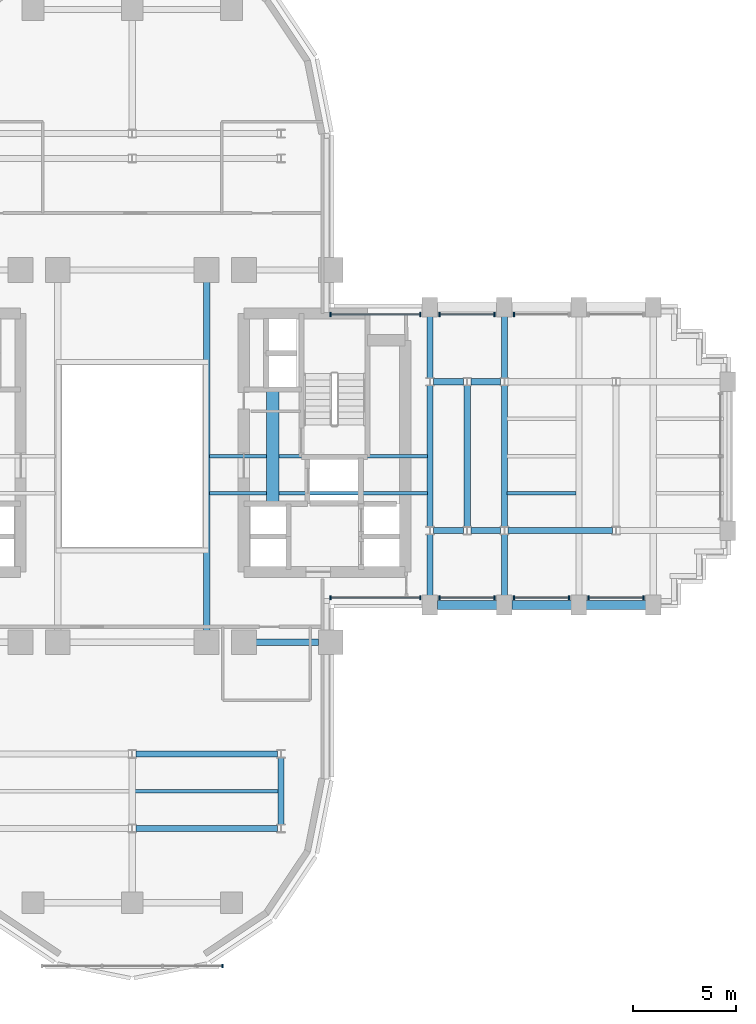
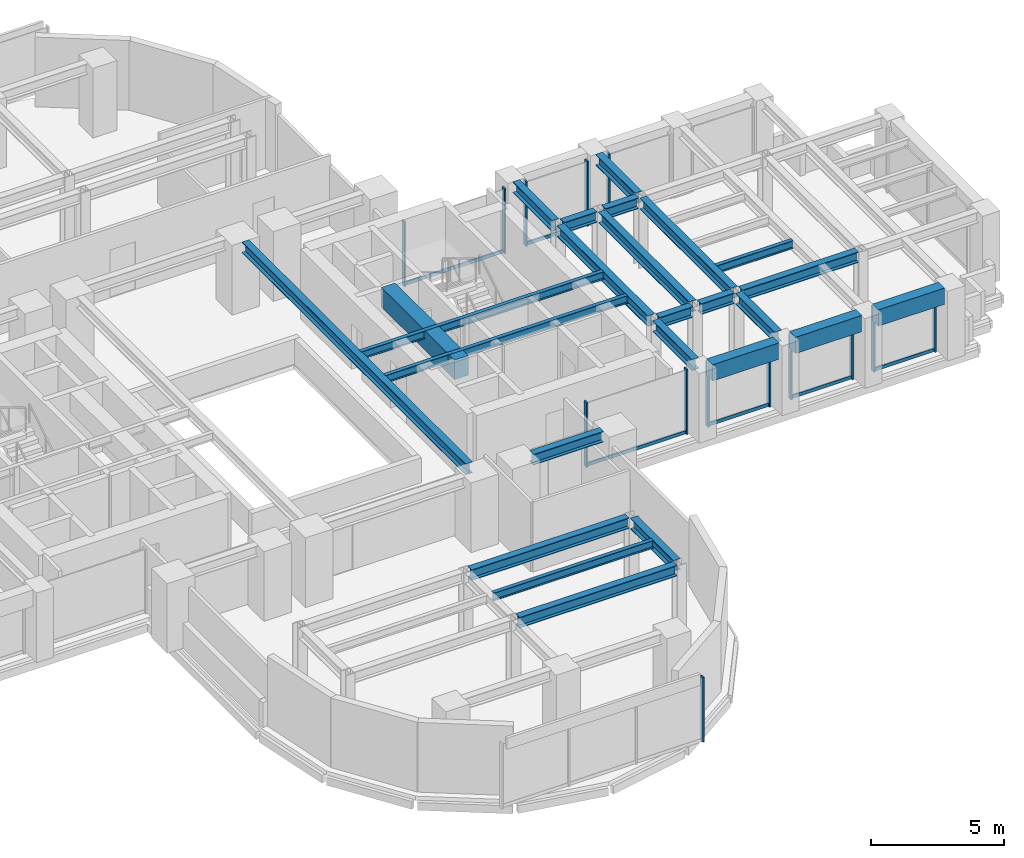
# One storey, part 5 of 16: 25 beams, 20 members, 8 elements without a shape of their own.
"""IFC4 building model written with IfcOpenShell, lengths in metres."""

from ifc_helpers import new_model, si_unit, direction, frame, origin, origin_2d, place, context, subcontext, project, spatial, rectangle, i_section, extrude, source, transform, mapped, material, material_profile, profile_set, type_object, element, aggregate, save


model = new_model("IFC4")

# Units and contexts
model_context = context("Model", 3, precision=1e-05, world=origin(), true_north=direction((0.0, 1.0)))
body_context = subcontext(model_context, "Body", "Model", "MODEL_VIEW")
ifc_project = project(units=[si_unit("LENGTHUNIT", "METRE"), si_unit("AREAUNIT", "SQUARE_METRE"), si_unit("VOLUMEUNIT", "CUBIC_METRE"), si_unit("PLANEANGLEUNIT", "RADIAN"), si_unit("MASSUNIT", "GRAM", prefix="KILO")], contexts=[model_context])

# Site, building, storey
site_placement = place(None, origin())
site = spatial("IfcSite", under=ifc_project, at=site_placement, CompositionType="ELEMENT")
building_placement = place(site_placement, origin())
building = spatial("IfcBuilding", under=site, at=building_placement, Name="Keilestroom Media Tower", CompositionType="ELEMENT")
storey_placement = place(building_placement, frame((0.0, 0.0, 68.0)))
storey = spatial("IfcBuildingStorey", under=building, at=storey_placement, Name="L17", CompositionType="ELEMENT", Elevation=68.0)

# Beams
ifc_material_1 = material(Name="Concrete C70/85", Category="concrete")
ifc_material_profile_1 = material_profile(ifc_material_1, rectangle(XDim=0.60009765625, YDim=0.89990234375, at=origin_2d()), Name="RC 600x900")
ifc_profile_set_1 = profile_set([ifc_material_profile_1], Name="Concrete C70/85")
beam_type_1 = type_object("IfcBeamType", Name="Core-Coupling-Lintel-Beam-RC-600x900", PredefinedType="LINTEL", material=ifc_profile_set_1)
shared_shape_1 = source(origin(), body_context, "Body", "SweptSolid", [
    extrude(rectangle(XDim=0.60009765625, YDim=0.89990234375, at=origin_2d()), origin(), (0.0, 0.0, 1.0), 5.52001953125),
])
beam_1_placement = place(storey_placement, frame((6.800048828125, -2.300048828125, 2.75), z_axis=(0.0, 1.0, 0.0), x_axis=(-1.0, 0.0, 0.0)))
element("IfcBeam", 1, at=beam_1_placement, inside=storey, type_object=beam_type_1, Name="L17 Beam CLB-1 CLB-L17-E", PredefinedType="LINTEL", context=body_context, shape_type="MappedRepresentation", body=[
    mapped(shared_shape_1, transform((0.0, 0.0, 0.0), x_axis=(1.0, 0.0, 0.0), y_axis=(0.0, 1.0, 0.0), z_axis=(0.0, 0.0, 1.0), scale=1.0)),
])
ifc_material_2 = material(Name="Precast concrete C40/50", Category="concrete")
ifc_material_profile_2 = material_profile(ifc_material_2, rectangle(XDim=0.449951171875, YDim=0.75, at=origin_2d()), Name="PC 450x750")
ifc_profile_set_2 = profile_set([ifc_material_profile_2], Name="Precast concrete C40/50")
beam_type_2 = type_object("IfcBeamType", Name="Perimeter-Spandrel-Beam-PC-450x750", PredefinedType="SPANDREL", material=ifc_profile_set_2)
shared_shape_2 = source(origin(), body_context, "Body", "SweptSolid", [
    extrude(rectangle(XDim=0.449951171875, YDim=0.75, at=origin_2d()), origin(), (0.0, 0.0, 1.0), 2.889892578125),
])
beam_2_placement = place(storey_placement, frame((21.955078125, -7.199951171875, 2.824951171875), z_axis=(1.0, 0.0, 0.0), x_axis=(0.0, 1.0, 0.0)))
element("IfcBeam", 2, at=beam_2_placement, inside=storey, type_object=beam_type_2, Name="L17 Beam SPB-1 BM-L17-EW-017", PredefinedType="SPANDREL", context=body_context, shape_type="MappedRepresentation", body=[
    mapped(shared_shape_2, transform((0.0, 0.0, 0.0), x_axis=(1.0, 0.0, 0.0), y_axis=(0.0, 1.0, 0.0), z_axis=(0.0, 0.0, 1.0), scale=1.0)),
])
shared_shape_3 = source(origin(), body_context, "Body", "SweptSolid", [
    extrude(rectangle(XDim=0.449951171875, YDim=0.75, at=origin_2d()), origin(), (0.0, 0.0, 1.0), 2.89013671875),
])
for number, where, z_axis, x_axis, name in (
    (3, (14.7548828125, -7.199951171875, 2.824951171875), (1.0, 0.0, 0.0), (0.0, 1.0, 0.0), "L17 Beam SPB-1 BM-L17-EW-015"),
    (4, (18.35498046875, -7.199951171875, 2.824951171875), (1.0, 0.0, 0.0), (0.0, 1.0, 0.0), "L17 Beam SPB-1 BM-L17-EW-016"),
):
    element("IfcBeam", number, at=place(storey_placement, frame(where, z_axis=z_axis, x_axis=x_axis)), inside=storey, type_object=beam_type_2, Name=name, PredefinedType="SPANDREL", context=body_context, shape_type="MappedRepresentation", body=[
        mapped(shared_shape_3, transform((0.0, 0.0, 0.0), x_axis=(1.0, 0.0, 0.0), y_axis=(0.0, 1.0, 0.0), z_axis=(0.0, 0.0, 1.0), scale=1.0)),
    ])
ifc_material_3 = material(Name="Steel S355", Category="steel")
ifc_material_profile_3 = material_profile(ifc_material_3, i_section(OverallWidth=0.300048828125, OverallDepth=0.5, WebThickness=0.012451171875, FlangeThickness=0.028076171875, at=origin_2d()), Name="HEB 500")
ifc_profile_set_3 = profile_set([ifc_material_profile_3], Name="Steel S355")
beam_type_3 = type_object("IfcBeamType", Name="Primary-Structural-Girder-HEB-500", PredefinedType="BEAM", material=ifc_profile_set_3)
shared_shape_4 = source(origin(), body_context, "Body", "SweptSolid", [
    extrude(i_section(OverallWidth=0.300048828125, OverallDepth=0.5, WebThickness=0.012451171875, FlangeThickness=0.028076171875, at=origin_2d()), origin(), (0.0, 0.0, 1.0), 6.8330078125),
])
for number, where, z_axis, x_axis, name in (
    (5, (14.39990234375, -3.41650390625, 2.949951171875), (0.0, 1.0, 0.0), (-1.0, 0.0, 0.0), "L17 Beam BG-6 BM-L17-NS-077"),
    (6, (16.199951171875, -3.41650390625, 2.949951171875), (0.0, 1.0, 0.0), (-1.0, 0.0, 0.0), "L17 Beam BG-6 BM-L17-NS-079"),
    (7, (18.0, -3.41650390625, 2.949951171875), (0.0, 1.0, 0.0), (-1.0, 0.0, 0.0), "L17 Beam BG-6 BM-L17-NS-081"),
):
    element("IfcBeam", number, at=place(storey_placement, frame(where, z_axis=z_axis, x_axis=x_axis)), inside=storey, type_object=beam_type_3, Name=name, PredefinedType="BEAM", context=body_context, shape_type="MappedRepresentation", body=[
        mapped(shared_shape_4, transform((0.0, 0.0, 0.0), x_axis=(1.0, 0.0, 0.0), y_axis=(0.0, 1.0, 0.0), z_axis=(0.0, 0.0, 1.0), scale=1.0)),
    ])
shared_shape_5 = source(origin(), body_context, "Body", "SweptSolid", [
    extrude(i_section(OverallWidth=0.300048828125, OverallDepth=0.5, WebThickness=0.012451171875, FlangeThickness=0.028076171875, at=origin_2d()), origin(), (0.0, 0.0, 1.0), 2.961669921875),
])
for number, where, z_axis, x_axis, name in (
    (8, (14.39990234375, -6.7451171875, 2.949951171875), (0.0, 1.0, 0.0), (-1.0, 0.0, 0.0), "L17 Beam BG-6 BM-L17-NS-076"),
    (9, (14.39990234375, 3.783447265625, 2.949951171875), (0.0, 1.0, 0.0), (-1.0, 0.0, 0.0), "L17 Beam BG-6 BM-L17-NS-078"),
    (10, (18.0, -6.7451171875, 2.949951171875), (0.0, 1.0, 0.0), (-1.0, 0.0, 0.0), "L17 Beam BG-6 BM-L17-NS-080"),
    (11, (18.0, 3.783447265625, 2.949951171875), (0.0, 1.0, 0.0), (-1.0, 0.0, 0.0), "L17 Beam BG-6 BM-L17-NS-082"),
):
    element("IfcBeam", number, at=place(storey_placement, frame(where, z_axis=z_axis, x_axis=x_axis)), inside=storey, type_object=beam_type_3, Name=name, PredefinedType="BEAM", context=body_context, shape_type="MappedRepresentation", body=[
        mapped(shared_shape_5, transform((0.0, 0.0, 0.0), x_axis=(1.0, 0.0, 0.0), y_axis=(0.0, 1.0, 0.0), z_axis=(0.0, 0.0, 1.0), scale=1.0)),
    ])
shared_shape_6 = source(origin(), body_context, "Body", "SweptSolid", [
    extrude(i_section(OverallWidth=0.300048828125, OverallDepth=0.5, WebThickness=0.012451171875, FlangeThickness=0.028076171875, at=origin_2d()), origin(), (0.0, 0.0, 1.0), 3.23291015625),
])
beam_3_placement = place(storey_placement, frame((7.199951171875, -17.81640625, 2.949951171875), z_axis=(0.0, 1.0, 0.0), x_axis=(-1.0, 0.0, 0.0)))
element("IfcBeam", 12, at=beam_3_placement, inside=storey, type_object=beam_type_3, Name="L17 Beam BG-6 BM-L17-NS-073", PredefinedType="BEAM", context=body_context, shape_type="MappedRepresentation", body=[
    mapped(shared_shape_6, transform((0.0, 0.0, 0.0), x_axis=(1.0, 0.0, 0.0), y_axis=(0.0, 1.0, 0.0), z_axis=(0.0, 0.0, 1.0), scale=1.0)),
])
shared_shape_7 = source(origin(), body_context, "Body", "SweptSolid", [
    extrude(i_section(OverallWidth=0.300048828125, OverallDepth=0.5, WebThickness=0.012451171875, FlangeThickness=0.028076171875, at=origin_2d()), origin(), (0.0, 0.0, 1.0), 16.83984375),
])
beam_4_placement = place(storey_placement, frame((3.60009765625, -8.419921875, 2.949951171875), z_axis=(0.0, 1.0, 0.0), x_axis=(-1.0, 0.0, 0.0)))
element("IfcBeam", 13, at=beam_4_placement, inside=storey, type_object=beam_type_3, Name="L17 Beam BG-6 BM-L17-NS-071", PredefinedType="BEAM", context=body_context, shape_type="MappedRepresentation", body=[
    mapped(shared_shape_7, transform((0.0, 0.0, 0.0), x_axis=(1.0, 0.0, 0.0), y_axis=(0.0, 1.0, 0.0), z_axis=(0.0, 0.0, 1.0), scale=1.0)),
])
ifc_material_profile_4 = material_profile(ifc_material_3, i_section(OverallWidth=0.300048828125, OverallDepth=0.489990234375, WebThickness=0.011962890625, FlangeThickness=0.02294921875, at=origin_2d()), Name="HEA 500")
ifc_profile_set_4 = profile_set([ifc_material_profile_4], Name="Steel S355")
beam_type_4 = type_object("IfcBeamType", Name="Primary-Structural-Girder-HEA-500", PredefinedType="BEAM", material=ifc_profile_set_4)
shared_shape_8 = source(origin(), body_context, "Body", "SweptSolid", [
    extrude(i_section(OverallWidth=0.300048828125, OverallDepth=0.489990234375, WebThickness=0.011962890625, FlangeThickness=0.02294921875, at=origin_2d()), origin(), (0.0, 0.0, 1.0), 6.836181640625),
])
for number, where, z_axis, x_axis, name in (
    (14, (0.181884765625, -18.0, 2.955078125), (1.0, 0.0, 0.0), (0.0, 1.0, 0.0), "L17 Beam BG-10 BM-L17-EW-004"),
    (15, (0.181884765625, -14.39990234375, 2.955078125), (1.0, 0.0, 0.0), (0.0, 1.0, 0.0), "L17 Beam BG-10 BM-L17-EW-006"),
):
    element("IfcBeam", number, at=place(storey_placement, frame(where, z_axis=z_axis, x_axis=x_axis)), inside=storey, type_object=beam_type_4, Name=name, PredefinedType="BEAM", context=body_context, shape_type="MappedRepresentation", body=[
        mapped(shared_shape_8, transform((0.0, 0.0, 0.0), x_axis=(1.0, 0.0, 0.0), y_axis=(0.0, 1.0, 0.0), z_axis=(0.0, 0.0, 1.0), scale=1.0)),
    ])
shared_shape_9 = source(origin(), body_context, "Body", "SweptSolid", [
    extrude(i_section(OverallWidth=0.300048828125, OverallDepth=0.489990234375, WebThickness=0.011962890625, FlangeThickness=0.02294921875, at=origin_2d()), origin(), (0.0, 0.0, 1.0), 3.0400390625),
])
beam_5_placement = place(storey_placement, frame((5.97998046875, -9.0, 2.955078125), z_axis=(1.0, 0.0, 0.0), x_axis=(0.0, 1.0, 0.0)))
element("IfcBeam", 16, at=beam_5_placement, inside=storey, type_object=beam_type_4, Name="L17 Beam BG-10 BM-L17-EW-011", PredefinedType="BEAM", context=body_context, shape_type="MappedRepresentation", body=[
    mapped(shared_shape_9, transform((0.0, 0.0, 0.0), x_axis=(1.0, 0.0, 0.0), y_axis=(0.0, 1.0, 0.0), z_axis=(0.0, 0.0, 1.0), scale=1.0)),
])
shared_shape_10 = source(origin(), body_context, "Body", "SweptSolid", [
    extrude(i_section(OverallWidth=0.300048828125, OverallDepth=0.489990234375, WebThickness=0.011962890625, FlangeThickness=0.02294921875, at=origin_2d()), origin(), (0.0, 0.0, 1.0), 5.0361328125),
])
beam_6_placement = place(storey_placement, frame((18.181884765625, -3.60009765625, 2.955078125), z_axis=(1.0, 0.0, 0.0), x_axis=(0.0, 1.0, 0.0)))
element("IfcBeam", 17, at=beam_6_placement, inside=storey, type_object=beam_type_4, Name="L17 Beam BG-10 BM-L17-EW-024", PredefinedType="BEAM", context=body_context, shape_type="MappedRepresentation", body=[
    mapped(shared_shape_10, transform((0.0, 0.0, 0.0), x_axis=(1.0, 0.0, 0.0), y_axis=(0.0, 1.0, 0.0), z_axis=(0.0, 0.0, 1.0), scale=1.0)),
])
shared_shape_11 = source(origin(), body_context, "Body", "SweptSolid", [
    extrude(i_section(OverallWidth=0.300048828125, OverallDepth=0.489990234375, WebThickness=0.011962890625, FlangeThickness=0.02294921875, at=origin_2d()), origin(), (0.0, 0.0, 1.0), 1.43603515625),
])
for number, where, z_axis, x_axis, name in (
    (18, (14.58203125, -3.60009765625, 2.955078125), (1.0, 0.0, 0.0), (0.0, 1.0, 0.0), "L17 Beam BG-10 BM-L17-EW-022"),
    (19, (16.382080078125, -3.60009765625, 2.955078125), (1.0, 0.0, 0.0), (0.0, 1.0, 0.0), "L17 Beam BG-10 BM-L17-EW-023"),
    (20, (14.58203125, 3.60009765625, 2.955078125), (1.0, 0.0, 0.0), (0.0, 1.0, 0.0), "L17 Beam BG-10 BM-L17-EW-030"),
    (21, (16.382080078125, 3.60009765625, 2.955078125), (1.0, 0.0, 0.0), (0.0, 1.0, 0.0), "L17 Beam BG-10 BM-L17-EW-031"),
):
    element("IfcBeam", number, at=place(storey_placement, frame(where, z_axis=z_axis, x_axis=x_axis)), inside=storey, type_object=beam_type_4, Name=name, PredefinedType="BEAM", context=body_context, shape_type="MappedRepresentation", body=[
        mapped(shared_shape_11, transform((0.0, 0.0, 0.0), x_axis=(1.0, 0.0, 0.0), y_axis=(0.0, 1.0, 0.0), z_axis=(0.0, 0.0, 1.0), scale=1.0)),
    ])
ifc_material_profile_5 = material_profile(ifc_material_3, i_section(OverallWidth=0.169921875, OverallDepth=0.360107421875, WebThickness=0.008056640625, FlangeThickness=0.0126953125, at=origin_2d()), Name="IPE 360")
ifc_profile_set_5 = profile_set([ifc_material_profile_5], Name="Steel S355")
beam_type_5 = type_object("IfcBeamType", Name="Secondary-Floor-Joist-IPE-360", PredefinedType="JOIST", material=ifc_profile_set_5)
shared_shape_12 = source(origin(), body_context, "Body", "SweptSolid", [
    extrude(i_section(OverallWidth=0.169921875, OverallDepth=0.360107421875, WebThickness=0.008056640625, FlangeThickness=0.0126953125, at=origin_2d()), origin(), (0.0, 0.0, 1.0), 6.940185546875),
])
beam_7_placement = place(storey_placement, frame((0.1298828125, -16.199951171875, 3.02001953125), z_axis=(1.0, 0.0, 0.0), x_axis=(0.0, 1.0, 0.0)))
element("IfcBeam", 22, at=beam_7_placement, inside=storey, type_object=beam_type_5, Name="L17 Beam BJ-5 JST-L17-088", PredefinedType="JOIST", context=body_context, shape_type="MappedRepresentation", body=[
    mapped(shared_shape_12, transform((0.0, 0.0, 0.0), x_axis=(1.0, 0.0, 0.0), y_axis=(0.0, 1.0, 0.0), z_axis=(0.0, 0.0, 1.0), scale=1.0)),
])
shared_shape_13 = source(origin(), body_context, "Body", "SweptSolid", [
    extrude(i_section(OverallWidth=0.169921875, OverallDepth=0.360107421875, WebThickness=0.008056640625, FlangeThickness=0.0126953125, at=origin_2d()), origin(), (0.0, 0.0, 1.0), 3.340087890625),
])
beam_8_placement = place(storey_placement, frame((18.1298828125, -1.800048828125, 3.02001953125), z_axis=(1.0, 0.0, 0.0), x_axis=(0.0, 1.0, 0.0)))
element("IfcBeam", 23, at=beam_8_placement, inside=storey, type_object=beam_type_5, Name="L17 Beam BJ-5 JST-L17-094", PredefinedType="JOIST", context=body_context, shape_type="MappedRepresentation", body=[
    mapped(shared_shape_13, transform((0.0, 0.0, 0.0), x_axis=(1.0, 0.0, 0.0), y_axis=(0.0, 1.0, 0.0), z_axis=(0.0, 0.0, 1.0), scale=1.0)),
])
shared_shape_14 = source(origin(), body_context, "Body", "SweptSolid", [
    extrude(i_section(OverallWidth=0.169921875, OverallDepth=0.360107421875, WebThickness=0.008056640625, FlangeThickness=0.0126953125, at=origin_2d()), origin(), (0.0, 0.0, 1.0), 10.5400390625),
])
for number, where, z_axis, x_axis, name in (
    (24, (3.72998046875, -1.800048828125, 3.02001953125), (1.0, 0.0, 0.0), (0.0, 1.0, 0.0), "L17 Beam BJ-5 JST-L17-093"),
    (25, (3.72998046875, 0.0, 3.02001953125), (1.0, 0.0, 0.0), (0.0, 1.0, 0.0), "L17 Beam BJ-5 JST-L17-100"),
):
    element("IfcBeam", number, at=place(storey_placement, frame(where, z_axis=z_axis, x_axis=x_axis)), inside=storey, type_object=beam_type_5, Name=name, PredefinedType="JOIST", context=body_context, shape_type="MappedRepresentation", body=[
        mapped(shared_shape_14, transform((0.0, 0.0, 0.0), x_axis=(1.0, 0.0, 0.0), y_axis=(0.0, 1.0, 0.0), z_axis=(0.0, 0.0, 1.0), scale=1.0)),
    ])

# Curtain wall, members
ifc_material_4 = material(Name="Anodised Aluminium Alloy", Category="aluminium")
curtain_wall_type_1 = type_object("IfcCurtainWallType", Name="Unitised-Curtain-Wall-CW-1", PredefinedType="NOTDEFINED", material=ifc_material_4)
curtain_wall_1_placement = place(storey_placement, origin())
curtain_wall_1 = element("IfcCurtainWall", 26, at=curtain_wall_1_placement, inside=storey, type_object=curtain_wall_type_1, Name="L17 Curtain Wall CW-1 CW-L17-NE-1", PredefinedType="NOTDEFINED")
ifc_material_profile_6 = material_profile(ifc_material_4, rectangle(XDim=0.070068359375, YDim=0.199951171875, at=origin_2d()), Name="ALU MULLION 70x200")
ifc_profile_set_6 = profile_set([ifc_material_profile_6], Name="Anodised Aluminium Alloy")
member_type_1 = type_object("IfcMemberType", Name="Curtain-Wall-Mullion-CW-1", PredefinedType="MULLION", material=ifc_profile_set_6)
shared_shape_15 = source(origin(), body_context, "Body", "SweptSolid", [
    extrude(rectangle(XDim=0.070068359375, YDim=0.199951171875, at=origin_2d()), origin(), (0.0, 0.0, 1.0), 2.97998046875),
])
member_1_placement = place(storey_placement, frame((9.5849609375, 6.85009765625, 0.0), z_axis=(0.0, 0.0, 1.0), x_axis=(1.0, 0.0, 0.0)))
member_1 = element("IfcMember", 27, at=member_1_placement, type_object=member_type_1, Name="CW-1 Mullion 00", PredefinedType="MULLION", context=body_context, shape_type="MappedRepresentation", body=[
    mapped(shared_shape_15, transform((0.0, 0.0, 0.0), x_axis=(1.0, 0.0, 0.0), y_axis=(0.0, 1.0, 0.0), z_axis=(0.0, 0.0, 1.0), scale=1.0)),
])
member_2_placement = place(storey_placement, frame((13.929931640625, 6.85009765625, 0.0), z_axis=(0.0, 0.0, 1.0), x_axis=(1.0, 0.0, 0.0)))
member_2 = element("IfcMember", 28, at=member_2_placement, type_object=member_type_1, Name="CW-1 Mullion 01", PredefinedType="MULLION", context=body_context, shape_type="MappedRepresentation", body=[
    mapped(shared_shape_15, transform((0.0, 0.0, 0.0), x_axis=(1.0, 0.0, 0.0), y_axis=(0.0, 1.0, 0.0), z_axis=(0.0, 0.0, 1.0), scale=1.0)),
])

curtain_wall_2_placement = place(storey_placement, origin())
curtain_wall_2 = element("IfcCurtainWall", 29, at=curtain_wall_2_placement, inside=storey, type_object=curtain_wall_type_1, Name="L17 Curtain Wall CW-1 CW-L17-NE-2", PredefinedType="NOTDEFINED")
member_3_placement = place(storey_placement, frame((14.8701171875, 6.85009765625, 0.0), z_axis=(0.0, 0.0, 1.0), x_axis=(1.0, 0.0, 0.0)))
member_3 = element("IfcMember", 30, at=member_3_placement, type_object=member_type_1, Name="CW-1 Mullion 00", PredefinedType="MULLION", context=body_context, shape_type="MappedRepresentation", body=[
    mapped(shared_shape_15, transform((0.0, 0.0, 0.0), x_axis=(1.0, 0.0, 0.0), y_axis=(0.0, 1.0, 0.0), z_axis=(0.0, 0.0, 1.0), scale=1.0)),
])
member_4_placement = place(storey_placement, frame((17.530029296875, 6.85009765625, 0.0), z_axis=(0.0, 0.0, 1.0), x_axis=(1.0, 0.0, 0.0)))
member_4 = element("IfcMember", 31, at=member_4_placement, type_object=member_type_1, Name="CW-1 Mullion 01", PredefinedType="MULLION", context=body_context, shape_type="MappedRepresentation", body=[
    mapped(shared_shape_15, transform((0.0, 0.0, 0.0), x_axis=(1.0, 0.0, 0.0), y_axis=(0.0, 1.0, 0.0), z_axis=(0.0, 0.0, 1.0), scale=1.0)),
])

# Curtain wall, member
curtain_wall_3_placement = place(storey_placement, origin())
curtain_wall_3 = element("IfcCurtainWall", 32, at=curtain_wall_3_placement, inside=storey, type_object=curtain_wall_type_1, Name="L17 Curtain Wall CW-1 CW-L17-NE-3", PredefinedType="NOTDEFINED")
member_5_placement = place(storey_placement, frame((18.469970703125, 6.85009765625, 0.0), z_axis=(0.0, 0.0, 1.0), x_axis=(1.0, 0.0, 0.0)))
member_5 = element("IfcMember", 33, at=member_5_placement, type_object=member_type_1, Name="CW-1 Mullion 00", PredefinedType="MULLION", context=body_context, shape_type="MappedRepresentation", body=[
    mapped(shared_shape_15, transform((0.0, 0.0, 0.0), x_axis=(1.0, 0.0, 0.0), y_axis=(0.0, 1.0, 0.0), z_axis=(0.0, 0.0, 1.0), scale=1.0)),
])
aggregate(curtain_wall_3, [member_5])

# Curtain wall, members
curtain_wall_4_placement = place(storey_placement, origin())
curtain_wall_4 = element("IfcCurtainWall", 34, at=curtain_wall_4_placement, inside=storey, type_object=curtain_wall_type_1, Name="L17 Curtain Wall CW-1 CW-L17-SE-1", PredefinedType="NOTDEFINED")
member_6_placement = place(storey_placement, frame((9.5849609375, -6.85009765625, 0.0), z_axis=(0.0, 0.0, 1.0), x_axis=(1.0, 0.0, 0.0)))
member_6 = element("IfcMember", 35, at=member_6_placement, type_object=member_type_1, Name="CW-1 Mullion 00", PredefinedType="MULLION", context=body_context, shape_type="MappedRepresentation", body=[
    mapped(shared_shape_15, transform((0.0, 0.0, 0.0), x_axis=(1.0, 0.0, 0.0), y_axis=(0.0, 1.0, 0.0), z_axis=(0.0, 0.0, 1.0), scale=1.0)),
])
member_7_placement = place(storey_placement, frame((13.929931640625, -6.85009765625, 0.0), z_axis=(0.0, 0.0, 1.0), x_axis=(1.0, 0.0, 0.0)))
member_7 = element("IfcMember", 36, at=member_7_placement, type_object=member_type_1, Name="CW-1 Mullion 01", PredefinedType="MULLION", context=body_context, shape_type="MappedRepresentation", body=[
    mapped(shared_shape_15, transform((0.0, 0.0, 0.0), x_axis=(1.0, 0.0, 0.0), y_axis=(0.0, 1.0, 0.0), z_axis=(0.0, 0.0, 1.0), scale=1.0)),
])

curtain_wall_5_placement = place(storey_placement, origin())
curtain_wall_5 = element("IfcCurtainWall", 37, at=curtain_wall_5_placement, inside=storey, type_object=curtain_wall_type_1, Name="L17 Curtain Wall CW-1 CW-L17-SE-2", PredefinedType="NOTDEFINED")
member_8_placement = place(storey_placement, frame((14.8701171875, -6.85009765625, 0.0), z_axis=(0.0, 0.0, 1.0), x_axis=(1.0, 0.0, 0.0)))
member_8 = element("IfcMember", 38, at=member_8_placement, type_object=member_type_1, Name="CW-1 Mullion 00", PredefinedType="MULLION", context=body_context, shape_type="MappedRepresentation", body=[
    mapped(shared_shape_15, transform((0.0, 0.0, 0.0), x_axis=(1.0, 0.0, 0.0), y_axis=(0.0, 1.0, 0.0), z_axis=(0.0, 0.0, 1.0), scale=1.0)),
])
member_9_placement = place(storey_placement, frame((17.530029296875, -6.85009765625, 0.0), z_axis=(0.0, 0.0, 1.0), x_axis=(1.0, 0.0, 0.0)))
member_9 = element("IfcMember", 39, at=member_9_placement, type_object=member_type_1, Name="CW-1 Mullion 01", PredefinedType="MULLION", context=body_context, shape_type="MappedRepresentation", body=[
    mapped(shared_shape_15, transform((0.0, 0.0, 0.0), x_axis=(1.0, 0.0, 0.0), y_axis=(0.0, 1.0, 0.0), z_axis=(0.0, 0.0, 1.0), scale=1.0)),
])

curtain_wall_6_placement = place(storey_placement, origin())
curtain_wall_6 = element("IfcCurtainWall", 40, at=curtain_wall_6_placement, inside=storey, type_object=curtain_wall_type_1, Name="L17 Curtain Wall CW-1 CW-L17-SE-3", PredefinedType="NOTDEFINED")
member_10_placement = place(storey_placement, frame((18.469970703125, -6.85009765625, 0.0), z_axis=(0.0, 0.0, 1.0), x_axis=(1.0, 0.0, 0.0)))
member_10 = element("IfcMember", 41, at=member_10_placement, type_object=member_type_1, Name="CW-1 Mullion 00", PredefinedType="MULLION", context=body_context, shape_type="MappedRepresentation", body=[
    mapped(shared_shape_15, transform((0.0, 0.0, 0.0), x_axis=(1.0, 0.0, 0.0), y_axis=(0.0, 1.0, 0.0), z_axis=(0.0, 0.0, 1.0), scale=1.0)),
])
member_11_placement = place(storey_placement, frame((21.1298828125, -6.85009765625, 0.0), z_axis=(0.0, 0.0, 1.0), x_axis=(1.0, 0.0, 0.0)))
member_11 = element("IfcMember", 42, at=member_11_placement, type_object=member_type_1, Name="CW-1 Mullion 01", PredefinedType="MULLION", context=body_context, shape_type="MappedRepresentation", body=[
    mapped(shared_shape_15, transform((0.0, 0.0, 0.0), x_axis=(1.0, 0.0, 0.0), y_axis=(0.0, 1.0, 0.0), z_axis=(0.0, 0.0, 1.0), scale=1.0)),
])

curtain_wall_7_placement = place(storey_placement, origin())
curtain_wall_7 = element("IfcCurtainWall", 43, at=curtain_wall_7_placement, inside=storey, type_object=curtain_wall_type_1, Name="L17 Curtain Wall CW-1 CW-L17-SE-4", PredefinedType="NOTDEFINED")
member_12_placement = place(storey_placement, frame((22.070068359375, -6.85009765625, 0.0), z_axis=(0.0, 0.0, 1.0), x_axis=(1.0, 0.0, 0.0)))
member_12 = element("IfcMember", 44, at=member_12_placement, type_object=member_type_1, Name="CW-1 Mullion 00", PredefinedType="MULLION", context=body_context, shape_type="MappedRepresentation", body=[
    mapped(shared_shape_15, transform((0.0, 0.0, 0.0), x_axis=(1.0, 0.0, 0.0), y_axis=(0.0, 1.0, 0.0), z_axis=(0.0, 0.0, 1.0), scale=1.0)),
])
member_13_placement = place(storey_placement, frame((24.72998046875, -6.85009765625, 0.0), z_axis=(0.0, 0.0, 1.0), x_axis=(1.0, 0.0, 0.0)))
member_13 = element("IfcMember", 45, at=member_13_placement, type_object=member_type_1, Name="CW-1 Mullion 01", PredefinedType="MULLION", context=body_context, shape_type="MappedRepresentation", body=[
    mapped(shared_shape_15, transform((0.0, 0.0, 0.0), x_axis=(1.0, 0.0, 0.0), y_axis=(0.0, 1.0, 0.0), z_axis=(0.0, 0.0, 1.0), scale=1.0)),
])

# Member
ifc_material_profile_7 = material_profile(ifc_material_4, rectangle(XDim=0.06494140625, YDim=0.14990234375, at=origin_2d()), Name="ALU TRANSOM 65x150")
ifc_profile_set_7 = profile_set([ifc_material_profile_7], Name="Anodised Aluminium Alloy")
member_type_2 = type_object("IfcMemberType", Name="Curtain-Wall-Transom-CW-1", PredefinedType="USERDEFINED", material=ifc_profile_set_7)
shared_shape_16 = source(origin(), body_context, "Body", "SweptSolid", [
    extrude(rectangle(XDim=0.06494140625, YDim=0.14990234375, at=origin_2d()), origin(), (0.0, 0.0, 1.0), 2.593994140625),
])
member_14_placement = place(storey_placement, frame((14.903076171875, 6.85009765625, 0.074951171875), z_axis=(1.0, 0.0, 0.0), x_axis=(0.0, 1.0, 0.0)))
member_14 = element("IfcMember", 46, at=member_14_placement, type_object=member_type_2, Name="CW-1 Transom 00.1", ObjectType="TRANSOM", PredefinedType="USERDEFINED", context=body_context, shape_type="MappedRepresentation", body=[
    mapped(shared_shape_16, transform((0.0, 0.0, 0.0), x_axis=(1.0, 0.0, 0.0), y_axis=(0.0, 1.0, 0.0), z_axis=(0.0, 0.0, 1.0), scale=1.0)),
])

aggregate(curtain_wall_2, [member_3, member_4, member_14])

member_15_placement = place(storey_placement, frame((14.903076171875, -6.85009765625, 0.074951171875), z_axis=(1.0, 0.0, 0.0), x_axis=(0.0, 1.0, 0.0)))
member_15 = element("IfcMember", 47, at=member_15_placement, type_object=member_type_2, Name="CW-1 Transom 00.1", ObjectType="TRANSOM", PredefinedType="USERDEFINED", context=body_context, shape_type="MappedRepresentation", body=[
    mapped(shared_shape_16, transform((0.0, 0.0, 0.0), x_axis=(1.0, 0.0, 0.0), y_axis=(0.0, 1.0, 0.0), z_axis=(0.0, 0.0, 1.0), scale=1.0)),
])

aggregate(curtain_wall_5, [member_8, member_9, member_15])

member_16_placement = place(storey_placement, frame((18.5029296875, -6.85009765625, 0.074951171875), z_axis=(1.0, 0.0, 0.0), x_axis=(0.0, 1.0, 0.0)))
member_16 = element("IfcMember", 48, at=member_16_placement, type_object=member_type_2, Name="CW-1 Transom 00.1", ObjectType="TRANSOM", PredefinedType="USERDEFINED", context=body_context, shape_type="MappedRepresentation", body=[
    mapped(shared_shape_16, transform((0.0, 0.0, 0.0), x_axis=(1.0, 0.0, 0.0), y_axis=(0.0, 1.0, 0.0), z_axis=(0.0, 0.0, 1.0), scale=1.0)),
])

aggregate(curtain_wall_6, [member_10, member_11, member_16])

member_17_placement = place(storey_placement, frame((22.10302734375, -6.85009765625, 0.074951171875), z_axis=(1.0, 0.0, 0.0), x_axis=(0.0, 1.0, 0.0)))
member_17 = element("IfcMember", 49, at=member_17_placement, type_object=member_type_2, Name="CW-1 Transom 00.1", ObjectType="TRANSOM", PredefinedType="USERDEFINED", context=body_context, shape_type="MappedRepresentation", body=[
    mapped(shared_shape_16, transform((0.0, 0.0, 0.0), x_axis=(1.0, 0.0, 0.0), y_axis=(0.0, 1.0, 0.0), z_axis=(0.0, 0.0, 1.0), scale=1.0)),
])

aggregate(curtain_wall_7, [member_12, member_13, member_17])

shared_shape_17 = source(origin(), body_context, "Body", "SweptSolid", [
    extrude(rectangle(XDim=0.06494140625, YDim=0.14990234375, at=origin_2d()), origin(), (0.0, 0.0, 1.0), 4.279052734375),
])
member_18_placement = place(storey_placement, frame((9.617919921875, 6.85009765625, 0.074951171875), z_axis=(1.0, 0.0, 0.0), x_axis=(0.0, 1.0, 0.0)))
member_18 = element("IfcMember", 50, at=member_18_placement, type_object=member_type_2, Name="CW-1 Transom 00.1", ObjectType="TRANSOM", PredefinedType="USERDEFINED", context=body_context, shape_type="MappedRepresentation", body=[
    mapped(shared_shape_17, transform((0.0, 0.0, 0.0), x_axis=(1.0, 0.0, 0.0), y_axis=(0.0, 1.0, 0.0), z_axis=(0.0, 0.0, 1.0), scale=1.0)),
])

aggregate(curtain_wall_1, [member_1, member_2, member_18])

member_19_placement = place(storey_placement, frame((9.617919921875, -6.85009765625, 0.074951171875), z_axis=(1.0, 0.0, 0.0), x_axis=(0.0, 1.0, 0.0)))
member_19 = element("IfcMember", 51, at=member_19_placement, type_object=member_type_2, Name="CW-1 Transom 00.1", ObjectType="TRANSOM", PredefinedType="USERDEFINED", context=body_context, shape_type="MappedRepresentation", body=[
    mapped(shared_shape_17, transform((0.0, 0.0, 0.0), x_axis=(1.0, 0.0, 0.0), y_axis=(0.0, 1.0, 0.0), z_axis=(0.0, 0.0, 1.0), scale=1.0)),
])

aggregate(curtain_wall_4, [member_6, member_7, member_19])

# Curtain wall, member
curtain_wall_type_2 = type_object("IfcCurtainWallType", Name="Unitised-Curtain-Wall-CW-6", PredefinedType="NOTDEFINED", material=ifc_material_4)
curtain_wall_8_placement = place(storey_placement, origin())
curtain_wall_8 = element("IfcCurtainWall", 52, at=curtain_wall_8_placement, inside=storey, type_object=curtain_wall_type_2, Name="L17 Curtain Wall CW-6 CW-L17-LS-1", PredefinedType="NOTDEFINED")
ifc_material_profile_8 = material_profile(ifc_material_4, rectangle(XDim=0.06494140625, YDim=0.179931640625, at=origin_2d()), Name="ALU MULLION 65x180")
ifc_profile_set_8 = profile_set([ifc_material_profile_8], Name="Anodised Aluminium Alloy")
member_type_3 = type_object("IfcMemberType", Name="Curtain-Wall-Mullion-CW-6", PredefinedType="MULLION", material=ifc_profile_set_8)
shared_shape_18 = source(origin(), body_context, "Body", "SweptSolid", [
    extrude(rectangle(XDim=0.06494140625, YDim=0.179931640625, at=origin_2d()), origin(), (0.0, 0.0, 1.0), 2.97998046875),
])
member_20_placement = place(storey_placement, frame((4.367431640625, -24.64990234375, 0.0), z_axis=(0.0, 0.0, 1.0), x_axis=(1.0, 0.0, 0.0)))
member_20 = element("IfcMember", 53, at=member_20_placement, type_object=member_type_3, Name="CW-6 Mullion 03", PredefinedType="MULLION", context=body_context, shape_type="MappedRepresentation", body=[
    mapped(shared_shape_18, transform((0.0, 0.0, 0.0), x_axis=(1.0, 0.0, 0.0), y_axis=(0.0, 1.0, 0.0), z_axis=(0.0, 0.0, 1.0), scale=1.0)),
])
aggregate(curtain_wall_8, [member_20])

save(model, "model.ifc")
